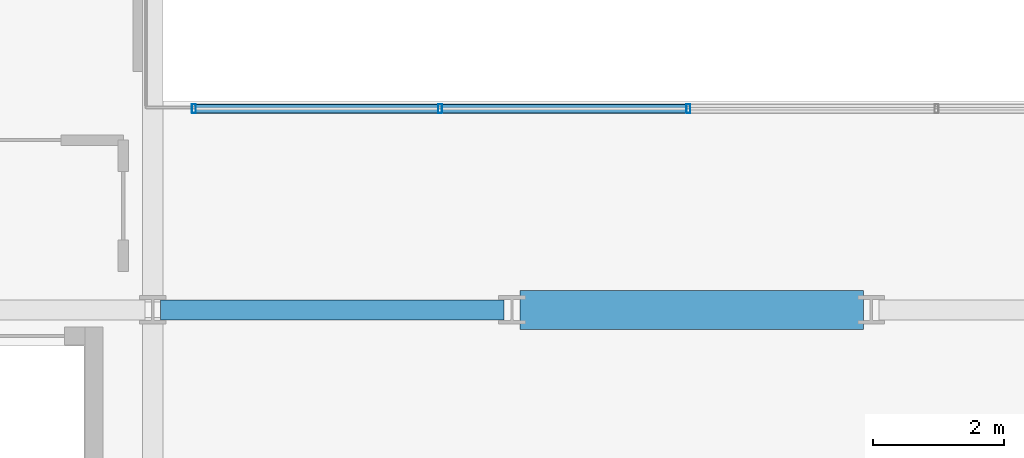
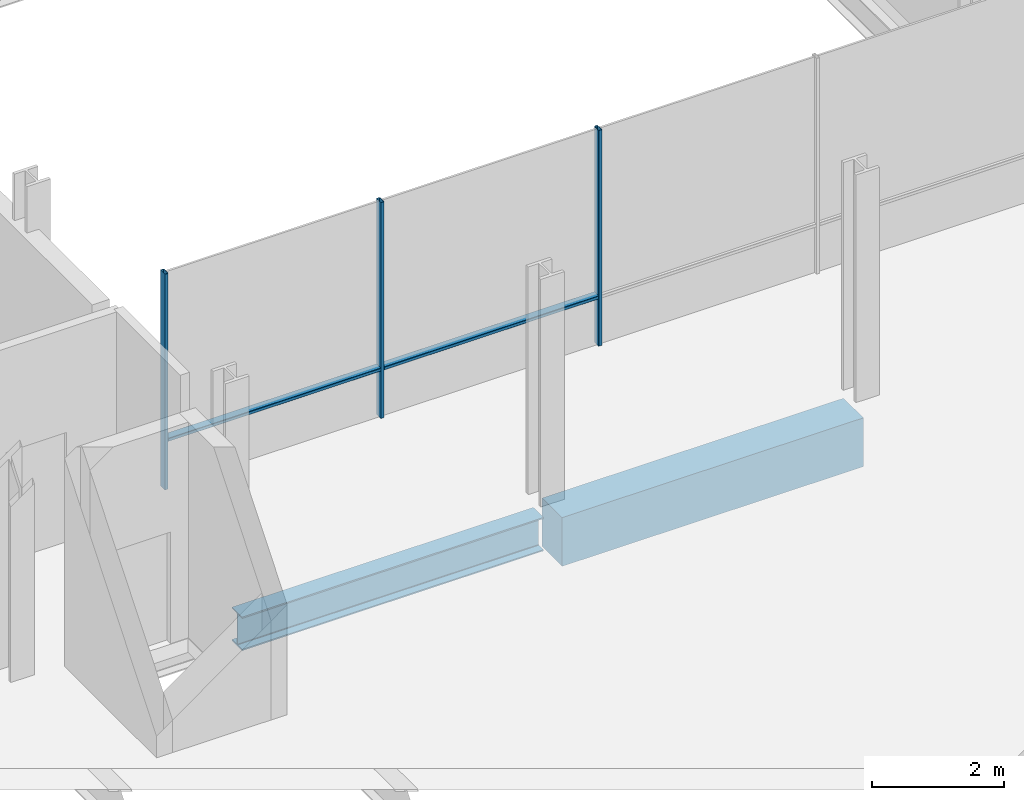
# One storey, part 4 of 32: 5 members, 2 beams, 1 element without a shape of its own.
"""IFC4 building model written with IfcOpenShell, lengths in metres."""

import ifcopenshell
import ifcopenshell.guid

model = None  # the IFC model being written
_history = None  # IfcOwnerHistory: only IFC2X3 demands one
_inside = {}  # id of a spatial element -> (the spatial element, [elements in it])
_under = {}  # id of a project, library or spatial element -> (it, [spatial elements below it])
_declared = {}  # id of a project -> (the project, [libraries it declares])
_typed = {}  # id of a type object -> (the type object, [elements of that type])
_made_of = {}  # id of a material, layer set ... -> (it, [elements and type objects made of it])


def new_model(schema):
    """Start an empty IFC model of exactly this schema.

    Asked for "IFC4X3", IfcOpenShell would pick the latest addendum, in which some entities
    have other attributes; the version numbers below select the first issue.
    IFC2X3 requires an IfcOwnerHistory on every rooted entity: one is made here for all.
    """
    global model, _history
    if schema == "IFC4X3":
        model = ifcopenshell.file(schema_version=(4, 3, 0, 0))
    else:
        model = ifcopenshell.file(schema=schema)
    _inside.clear()
    _under.clear()
    _declared.clear()
    _typed.clear()
    _made_of.clear()
    _history = None
    if model.schema == "IFC2X3":
        org = make("IfcOrganization", Name="unknown")
        user = make(
            "IfcPersonAndOrganization",
            ThePerson=make("IfcPerson", FamilyName="unknown"),
            TheOrganization=org,
        )
        app = make(
            "IfcApplication",
            ApplicationDeveloper=org,
            Version="unknown",
            ApplicationFullName="unknown",
            ApplicationIdentifier="unknown",
        )
        _history = make(
            "IfcOwnerHistory",
            OwningUser=user,
            OwningApplication=app,
            ChangeAction="ADDED",
            CreationDate=0,
        )
    return model


def make(cls, **values):
    """One entity of the class cls with the attributes given. An attribute that is None is left unset."""
    return model.create_entity(
        cls, **{name: value for name, value in values.items() if value is not None}
    )


def rooted(cls, **values):
    """An entity with a GlobalId (a new one), such as an element, a storey or a relation."""
    return make(cls, GlobalId=ifcopenshell.guid.new(), OwnerHistory=_history, **values)


def si_unit(unit_type, name, prefix=None):
    """IfcSIUnit, for example si_unit("LENGTHUNIT", "METRE", prefix="MILLI")."""
    return make("IfcSIUnit", UnitType=unit_type, Prefix=prefix, Name=name)


def assignment(units):
    """IfcUnitAssignment: the units of a project."""
    return None if units is None else make("IfcUnitAssignment", Units=units)


def point(xyz):
    """IfcCartesianPoint."""
    return None if xyz is None else make("IfcCartesianPoint", Coordinates=xyz)


def direction(xyz):
    """IfcDirection."""
    return None if xyz is None else make("IfcDirection", DirectionRatios=xyz)


def frame(location, z_axis=None, x_axis=None):
    """IfcAxis2Placement3D, a coordinate frame: its origin and axes. An axis left out is left unset."""
    return make(
        "IfcAxis2Placement3D",
        Location=point(location),
        Axis=direction(z_axis),
        RefDirection=direction(x_axis),
    )


def frame_2d(location, x_axis=None):
    """IfcAxis2Placement2D, a coordinate frame in the plane: its origin and x axis."""
    return make(
        "IfcAxis2Placement2D", Location=point(location), RefDirection=direction(x_axis)
    )


def origin():
    """The frame at (0, 0, 0) with its axes left unset."""
    return frame((0.0, 0.0, 0.0))


def origin_2d():
    """The frame at (0, 0) in the plane with its x axis left unset."""
    return frame_2d((0.0, 0.0))


def place(relative_to, where):
    """IfcLocalPlacement: puts the frame where relative to a parent placement (None: the world)."""
    return make(
        "IfcLocalPlacement", PlacementRelTo=relative_to, RelativePlacement=where
    )


def context(
    kind, dimensions, precision=None, world=None, true_north=None, identifier=None
):
    """IfcGeometricRepresentationContext, for example the 3D "Model" context."""
    return make(
        "IfcGeometricRepresentationContext",
        ContextIdentifier=identifier,
        ContextType=kind,
        CoordinateSpaceDimension=dimensions,
        Precision=precision,
        WorldCoordinateSystem=world,
        TrueNorth=true_north,
    )


def subcontext(parent, identifier, kind, view, scale=None):
    """IfcGeometricRepresentationSubContext, for example "Body" below "Model"."""
    return make(
        "IfcGeometricRepresentationSubContext",
        ContextIdentifier=identifier,
        ContextType=kind,
        ParentContext=parent,
        TargetScale=scale,
        TargetView=view,
    )


def project(units=None, contexts=None):
    """IfcProject with its units and contexts."""
    return rooted(
        "IfcProject",
        Name="project",
        RepresentationContexts=contexts,
        UnitsInContext=assignment(units),
    )


def spatial(cls, under=None, at=None, **own):
    """A site, building, storey or space (cls), placed at a placement, below another one or the project."""
    s = rooted(cls, ObjectPlacement=at, **own)
    if under is not None:
        _under.setdefault(under.id(), (under, []))[1].append(s)
    return s


def profile(cls, at=None, kind="AREA", **sizes):
    """A parametric profile (cls). Its sizes go by their IFC names, for example OverallWidth=200.0."""
    return make(cls, ProfileType=kind, Position=at, **sizes)


def rectangle(**sizes):
    """IfcRectangleProfileDef."""
    return profile("IfcRectangleProfileDef", **sizes)


def hollow_rectangle(**sizes):
    """IfcRectangleHollowProfileDef."""
    return profile("IfcRectangleHollowProfileDef", **sizes)


def i_section(**sizes):
    """IfcIShapeProfileDef."""
    return profile("IfcIShapeProfileDef", **sizes)


def extrude(swept, where, along, depth):
    """IfcExtrudedAreaSolid: the profile swept, set in the frame where, extruded along a direction by depth."""
    return make(
        "IfcExtrudedAreaSolid",
        SweptArea=swept,
        Position=where,
        ExtrudedDirection=direction(along),
        Depth=depth,
    )


def shape(context_of_items, identifier, shape_type, items):
    """IfcShapeRepresentation: the items that make up one representation, for example the "Body"."""
    return make(
        "IfcShapeRepresentation",
        ContextOfItems=context_of_items,
        RepresentationIdentifier=identifier,
        RepresentationType=shape_type,
        Items=items,
    )


def material(Name=None, Category=None):
    """IfcMaterial."""
    return make("IfcMaterial", Name=Name, Category=Category)


def layer(
    of_material, thickness, ventilated=None, Name=None, Category=None, Priority=None
):
    """IfcMaterialLayer: one layer of a wall or slab, of a material (None: an air gap)."""
    return make(
        "IfcMaterialLayer",
        Material=of_material,
        LayerThickness=thickness,
        IsVentilated=ventilated,
        Name=Name,
        Category=Category,
        Priority=Priority,
    )


def layer_set(layers, Name=None):
    """IfcMaterialLayerSet."""
    return make("IfcMaterialLayerSet", MaterialLayers=layers, LayerSetName=Name)


def material_profile(
    of_material, cross_section, Name=None, Category=None, Priority=None
):
    """IfcMaterialProfile: a cross section and its material."""
    return make(
        "IfcMaterialProfile",
        Name=Name,
        Material=of_material,
        Profile=cross_section,
        Priority=Priority,
        Category=Category,
    )


def profile_set(profiles, Name=None, composite=None):
    """IfcMaterialProfileSet."""
    return make(
        "IfcMaterialProfileSet",
        Name=Name,
        MaterialProfiles=profiles,
        CompositeProfile=composite,
    )


def made_of(thing, what):
    """Note that an element or type object is made of a material, layer set ...; save() writes the relation."""
    if what is not None:
        _made_of.setdefault(what.id(), (what, []))[1].append(thing)
    return thing


def type_object(cls, material=None, **own):
    """A type object (cls), such as IfcWallType, which elements share."""
    return made_of(rooted(cls, **own), material)


def element(
    cls,
    number,
    at=None,
    inside=None,
    cuts=None,
    type_object=None,
    material=None,
    context=None,
    identifier="Body",
    shape_type=None,
    held_by="IfcProductDefinitionShape",
    body=None,
    shapes=None,
    **own,
):
    """One element of the class cls, such as IfcWall. Its Tag is "e" and its number.

    at: its placement. inside: the storey or other place that contains it. cuts: it is an
    opening in that element (IfcRelVoidsElement). A single representation is given by context,
    identifier, shape_type and body (its items); several are given by shapes. held_by: the class
    of the entity that holds the representations. save() writes the other relations.
    """
    e = rooted(cls, Tag="e%d" % number, ObjectPlacement=at, **own)
    if body is not None:
        shapes = [shape(context, identifier, shape_type, body)]
    if shapes is not None:
        e.Representation = make(held_by, Representations=shapes)
    if inside is not None:
        _inside.setdefault(inside.id(), (inside, []))[1].append(e)
    if cuts is not None:
        rooted(
            "IfcRelVoidsElement", RelatingBuildingElement=cuts, RelatedOpeningElement=e
        )
    if type_object is not None:
        _typed.setdefault(type_object.id(), (type_object, []))[1].append(e)
    return made_of(e, material)


def aggregate(whole, parts):
    """IfcRelAggregates: a whole, such as a stair, and the parts it consists of."""
    return rooted("IfcRelAggregates", RelatingObject=whole, RelatedObjects=parts)


def save(model, path):
    """Write the relations noted so far, then the file.

    IfcRelAggregates (storeys below a building ...), IfcRelContainedInSpatialStructure (elements
    in a storey), IfcRelDefinesByType, IfcRelAssociatesMaterial and IfcRelDeclares: one each for
    every whole, place, type object, material and project.
    """
    for whole, parts in _under.values():
        aggregate(whole, parts)
    for where, things in _inside.values():
        rooted(
            "IfcRelContainedInSpatialStructure",
            RelatedElements=things,
            RelatingStructure=where,
        )
    for kind, things in _typed.values():
        rooted("IfcRelDefinesByType", RelatedObjects=things, RelatingType=kind)
    for what, things in _made_of.values():
        rooted("IfcRelAssociatesMaterial", RelatedObjects=things, RelatingMaterial=what)
    for by, libraries in _declared.values():
        rooted("IfcRelDeclares", RelatingContext=by, RelatedDefinitions=libraries)
    model.write(path)


model = new_model("IFC4")

# Units and contexts
model_context = context("Model", 3, precision=1e-05, world=origin(), true_north=direction((0.0, 1.0)))
body_context = subcontext(model_context, "Body", "Model", "MODEL_VIEW")
ifc_project = project(units=[si_unit("LENGTHUNIT", "METRE"), si_unit("AREAUNIT", "SQUARE_METRE"), si_unit("VOLUMEUNIT", "CUBIC_METRE"), si_unit("PLANEANGLEUNIT", "RADIAN"), si_unit("MASSUNIT", "GRAM", prefix="KILO")], contexts=[model_context])

# Site, building, storey
site_placement = place(None, origin())
site = spatial("IfcSite", under=ifc_project, at=site_placement, CompositionType="ELEMENT")
building_placement = place(site_placement, origin())
building = spatial("IfcBuilding", under=site, at=building_placement, Name="Brevholm Reach", CompositionType="ELEMENT")
storey_placement = place(building_placement, frame((0.0, 0.0, 96.199951171875)))
storey = spatial("IfcBuildingStorey", under=building, at=storey_placement, Name="L28", CompositionType="ELEMENT", Elevation=96.199951171875)

# Beams
ifc_material_1 = material(Name="Concrete C50/60", Category="concrete")
ifc_material_profile_1 = material_profile(ifc_material_1, rectangle(XDim=0.60009765625, YDim=0.89990234375, at=origin_2d()), Name="RC 600x900")
ifc_profile_set_1 = profile_set([ifc_material_profile_1], Name="Concrete C50/60")
beam_type_1 = type_object("IfcBeamType", Name="BM-CB600", PredefinedType="LINTEL", material=ifc_profile_set_1)
beam_1_placement = place(storey_placement, frame((27.3701171875, 10.0, -0.7099609375), z_axis=(1.0, 0.0, 0.0), x_axis=(0.0, 1.0, 0.0)))
element("IfcBeam", 1, at=beam_1_placement, inside=storey, type_object=beam_type_1, Name="L28 CB-02 Framing Beam", PredefinedType="LINTEL", context=body_context, shape_type="SweptSolid", body=[
    extrude(rectangle(XDim=0.60009765625, YDim=0.89990234375, at=origin_2d()), origin(), (0.0, 0.0, 1.0), 5.259765625),
])
ifc_material_2 = material(Name="Structural Steel S355J2", Category="steel")
ifc_material_profile_2 = material_profile(ifc_material_2, i_section(OverallWidth=0.30712890625, OverallDepth=0.6201171875, WebThickness=0.01416015625, FlangeThickness=0.023681640625, FilletRadius=0.0166015625, at=origin_2d()), Name="UKB 610x305x179")
ifc_profile_set_2 = profile_set([ifc_material_profile_2], Name="Structural Steel S355J2")
beam_type_2 = type_object("IfcBeamType", Name="BM-UKB610H", PredefinedType="USERDEFINED", material=ifc_profile_set_2)
beam_2_placement = place(storey_placement, frame((21.8701171875, 10.0, -0.570068359375), z_axis=(1.0, 0.0, 0.0), x_axis=(0.0, 1.0, 0.0)))
element("IfcBeam", 2, at=beam_2_placement, inside=storey, type_object=beam_type_2, Name="L28 G-06 Framing Beam", ObjectType="GIRDER", PredefinedType="USERDEFINED", context=body_context, shape_type="SweptSolid", body=[
    extrude(i_section(OverallWidth=0.30712890625, OverallDepth=0.6201171875, WebThickness=0.01416015625, FlangeThickness=0.023681640625, FilletRadius=0.0166015625, at=origin_2d()), origin(), (0.0, 0.0, 1.0), 5.259765625),
])

# Curtain wall, members
ifc_material_3 = material(Name="Dark Anodised Aluminium 6063-T6 and Solar-Control Glass", Category="aluminium")
ifc_layer = layer(ifc_material_3, 0.139892578125)
ifc_layer_set = layer_set([ifc_layer], Name="Dark Anodised Aluminium 6063-T6 and Solar-Control Glass")
curtain_wall_type = type_object("IfcCurtainWallType", Name="CW-02", PredefinedType="NOTDEFINED", material=ifc_layer_set)
curtain_wall_placement = place(storey_placement, origin())
curtain_wall = element("IfcCurtainWall", 3, at=curtain_wall_placement, inside=storey, type_object=curtain_wall_type, Name="L28 Curtain Wall CW-02", PredefinedType="NOTDEFINED")
ifc_material_4 = material(Name="Dark Anodised Aluminium 6063-T6", Category="aluminium")
ifc_material_profile_3 = material_profile(ifc_material_4, hollow_rectangle(XDim=0.06005859375, YDim=0.139892578125, WallThickness=0.0048828125, InnerFilletRadius=0.0048828125, OuterFilletRadius=0.010009765625, at=origin_2d()), Name="RHS 140x60x5")
ifc_profile_set_3 = profile_set([ifc_material_profile_3], Name="Dark Anodised Aluminium 6063-T6")
member_type_1 = type_object("IfcMemberType", Name="CWM-140", PredefinedType="MULLION", material=ifc_profile_set_3)
member_1_placement = place(storey_placement, frame((22.3798828125, 13.080078125, 0.0), z_axis=(0.0, 0.0, 1.0), x_axis=(1.0, 0.0, 0.0)))
member_1 = element("IfcMember", 4, at=member_1_placement, type_object=member_type_1, Name="CM-140 Mullion 1", PredefinedType="MULLION", context=body_context, shape_type="SweptSolid", body=[
    extrude(hollow_rectangle(XDim=0.06005859375, YDim=0.139892578125, WallThickness=0.0048828125, InnerFilletRadius=0.0048828125, OuterFilletRadius=0.010009765625, at=origin_2d()), origin(), (0.0, 0.0, 1.0), 3.97998046875),
])
member_2_placement = place(storey_placement, frame((26.14990234375, 13.080078125, 0.0), z_axis=(0.0, 0.0, 1.0), x_axis=(1.0, 0.0, 0.0)))
member_2 = element("IfcMember", 5, at=member_2_placement, type_object=member_type_1, Name="CM-140 Mullion 2", PredefinedType="MULLION", context=body_context, shape_type="SweptSolid", body=[
    extrude(hollow_rectangle(XDim=0.06005859375, YDim=0.139892578125, WallThickness=0.0048828125, InnerFilletRadius=0.0048828125, OuterFilletRadius=0.010009765625, at=origin_2d()), origin(), (0.0, 0.0, 1.0), 3.97998046875),
])
member_3_placement = place(storey_placement, frame((29.949951171875, 13.080078125, 0.0), z_axis=(0.0, 0.0, 1.0), x_axis=(1.0, 0.0, 0.0)))
member_3 = element("IfcMember", 6, at=member_3_placement, type_object=member_type_1, Name="CM-140 Mullion 3", PredefinedType="MULLION", context=body_context, shape_type="SweptSolid", body=[
    extrude(hollow_rectangle(XDim=0.06005859375, YDim=0.139892578125, WallThickness=0.0048828125, InnerFilletRadius=0.0048828125, OuterFilletRadius=0.010009765625, at=origin_2d()), origin(), (0.0, 0.0, 1.0), 3.97998046875),
])
ifc_material_5 = material(Name="Dark Anodised Aluminium 6063-T6", Category="aluminium")
ifc_material_profile_4 = material_profile(ifc_material_5, hollow_rectangle(XDim=0.06005859375, YDim=0.139892578125, WallThickness=0.0048828125, InnerFilletRadius=0.0048828125, OuterFilletRadius=0.010009765625, at=origin_2d()), Name="RHS 140x60x5")
ifc_profile_set_4 = profile_set([ifc_material_profile_4], Name="Dark Anodised Aluminium 6063-T6")
member_type_2 = type_object("IfcMemberType", Name="CWT-140", PredefinedType="NOTDEFINED", material=ifc_profile_set_4)
member_4_placement = place(storey_placement, frame((22.409912109375, 13.080078125, 0.900146484375), z_axis=(1.0, 0.0, 0.0), x_axis=(0.0, 0.0, 1.0)))
member_4 = element("IfcMember", 7, at=member_4_placement, type_object=member_type_2, Name="CT-140 Transom 1.1", ObjectType="TRANSOM", PredefinedType="USERDEFINED", context=body_context, shape_type="SweptSolid", body=[
    extrude(hollow_rectangle(XDim=0.06005859375, YDim=0.139892578125, WallThickness=0.0048828125, InnerFilletRadius=0.0048828125, OuterFilletRadius=0.010009765625, at=origin_2d()), origin(), (0.0, 0.0, 1.0), 3.710205078125),
])
member_5_placement = place(storey_placement, frame((26.179931640625, 13.080078125, 0.900146484375), z_axis=(1.0, 0.0, 0.0), x_axis=(0.0, 0.0, 1.0)))
member_5 = element("IfcMember", 8, at=member_5_placement, type_object=member_type_2, Name="CT-140 Transom 2.1", ObjectType="TRANSOM", PredefinedType="USERDEFINED", context=body_context, shape_type="SweptSolid", body=[
    extrude(hollow_rectangle(XDim=0.06005859375, YDim=0.139892578125, WallThickness=0.0048828125, InnerFilletRadius=0.0048828125, OuterFilletRadius=0.010009765625, at=origin_2d()), origin(), (0.0, 0.0, 1.0), 3.739990234375),
])
aggregate(curtain_wall, [member_1, member_2, member_3, member_4, member_5])

save(model, "model.ifc")
